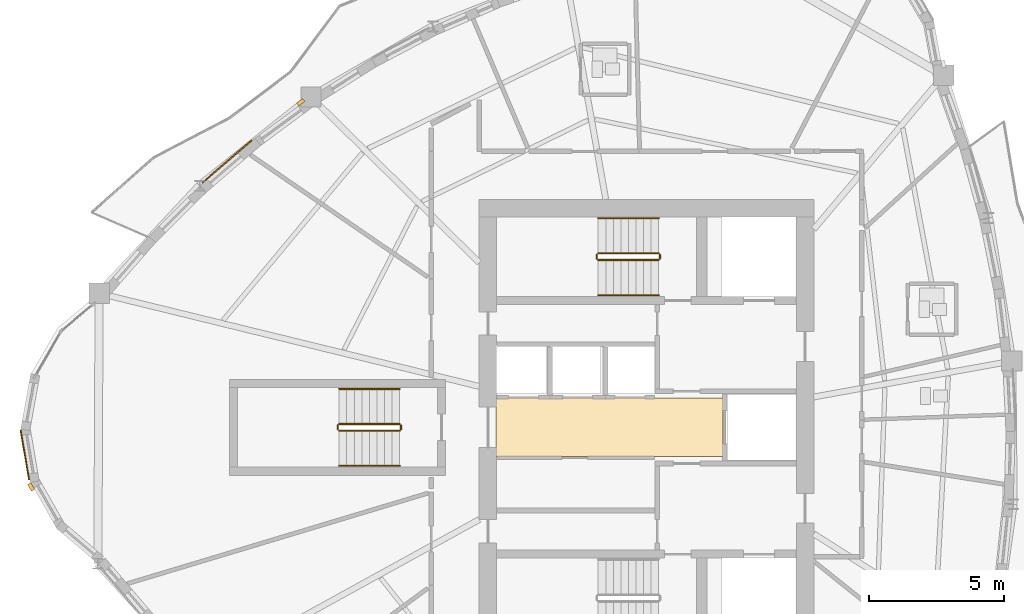
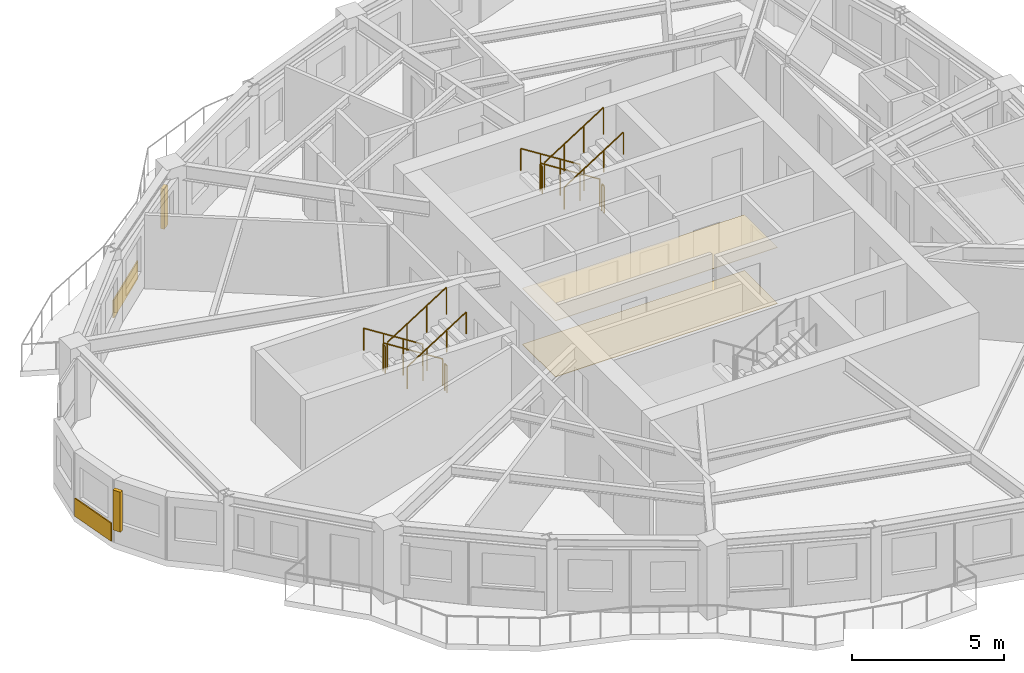
# One storey, part 11 of 13: 12 railings, 4 coverings, 2 shading devices.
"""IFC4 building model written with IfcOpenShell, lengths in metres."""

from ifc_helpers import new_model, si_unit, direction, frame, origin, origin_2d, place, context, subcontext, project, spatial, polyline, rectangle, circle, outline, extrude, source, transform, mapped, material, layer, layer_set, type_object, element, save


model = new_model("IFC4")

# Units and contexts
model_context = context("Model", 3, precision=1e-05, world=origin(), true_north=direction((0.0, 1.0)))
body_context = subcontext(model_context, "Body", "Model", "MODEL_VIEW")
ifc_project = project(units=[si_unit("LENGTHUNIT", "METRE"), si_unit("AREAUNIT", "SQUARE_METRE"), si_unit("VOLUMEUNIT", "CUBIC_METRE"), si_unit("PLANEANGLEUNIT", "RADIAN"), si_unit("MASSUNIT", "GRAM", prefix="KILO")], contexts=[model_context])

# Site, building, storey
site_placement = place(None, origin())
site = spatial("IfcSite", under=ifc_project, at=site_placement, CompositionType="ELEMENT")
building_placement = place(site_placement, origin())
building = spatial("IfcBuilding", under=site, at=building_placement, Name="Qafzar Sky-Pleat Residences", CompositionType="ELEMENT")
storey_placement = place(building_placement, frame((0.0, 0.0, 136.199951171875)))
storey = spatial("IfcBuildingStorey", under=building, at=storey_placement, Name="L40", CompositionType="ELEMENT", Elevation=136.199951171875)

# Coverings
ifc_material_1 = material(Name="Perforated acoustic gypsum board ceiling")
ifc_layer_1 = layer(ifc_material_1, 0.02001953125)
ifc_layer_set_1 = layer_set([ifc_layer_1], Name="Perforated acoustic gypsum board ceiling")
covering_type_1 = type_object("IfcCoveringType", Name="COV-CEIL-ACOUSTIC", PredefinedType="CEILING", material=ifc_layer_set_1)
covering_1_placement = place(storey_placement, frame((0.0, 0.0, 2.239990234375)))
element("IfcCovering", 1, at=covering_1_placement, inside=storey, type_object=covering_type_1, Name="L40 Passenger Lift Lobby Acoustic Ceiling", PredefinedType="CEILING", context=body_context, shape_type="SweptSolid", body=[
    extrude(outline(polyline([(33.179931640625, 24.919921875), (24.77001953125, 24.919921875), (24.77001953125, 27.080078125), (33.179931640625, 27.080078125), (33.179931640625, 24.919921875)])), origin(), (0.0, 0.0, 1.0), 0.02001953125),
])
ifc_material_2 = material(Name="Honed porcelain and Riyadh stone tile flooring", Category="masonry")
ifc_layer_2 = layer(ifc_material_2, 0.02001953125)
ifc_layer_set_2 = layer_set([ifc_layer_2], Name="Honed porcelain and Riyadh stone tile flooring")
covering_type_2 = type_object("IfcCoveringType", Name="COV-FLR-PORCELAIN", PredefinedType="FLOORING", material=ifc_layer_set_2)
covering_2_placement = place(storey_placement, origin())
element("IfcCovering", 2, at=covering_2_placement, inside=storey, type_object=covering_type_2, Name="L40 Passenger Lift Lobby Honed Stone Flooring", PredefinedType="FLOORING", context=body_context, shape_type="SweptSolid", body=[
    extrude(outline(polyline([(33.179931640625, 24.919921875), (24.77001953125, 24.919921875), (24.77001953125, 27.080078125), (33.179931640625, 27.080078125), (33.179931640625, 24.919921875)])), origin(), (0.0, 0.0, 1.0), 0.02001953125),
])

# Shading devices
ifc_material_3 = material(Name="Honed Riyadh limestone solar fin", Category="masonry")
ifc_layer_3 = layer(ifc_material_3, 0.139892578125)
ifc_layer_set_3 = layer_set([ifc_layer_3], Name="Honed Riyadh limestone solar fin")
shading_device_type = type_object("IfcShadingDeviceType", Name="SHD-FIN-STONE", PredefinedType="SHUTTER", material=ifc_layer_set_3)
shared_shape_1 = source(origin(), body_context, "Body", "SweptSolid", [
    extrude(rectangle(XDim=0.139892578125, YDim=0.280029296875, at=origin_2d()), origin(), (0.0, 0.0, 1.0), 1.60009765625),
])
for number, where, z_axis, x_axis, name in (
    (3, (7.54248046875, 23.7919921875, 0.60009765625), (0.0, 0.0, 1.0), (-0.86961473554, -0.493730910245, 0.0), "L40 Limestone Solar Fin 5"),
    (4, (17.534423828125, 38.0478515625, 0.60009765625), (0.0, 0.0, 1.0), (-0.594883347751, 0.803812044304, 0.0), "L40 Limestone Solar Fin 45"),
):
    element("IfcShadingDevice", number, at=place(storey_placement, frame(where, z_axis=z_axis, x_axis=x_axis)), inside=storey, type_object=shading_device_type, Name=name, PredefinedType="SHUTTER", context=body_context, shape_type="MappedRepresentation", body=[
        mapped(shared_shape_1, transform((0.0, 0.0, 0.0), x_axis=(1.0, 0.0, 0.0), y_axis=(0.0, 1.0, 0.0), z_axis=(0.0, 0.0, 1.0), scale=1.0)),
    ])

# Coverings
ifc_material_4 = material(Name="Honed Riyadh Tuwaiq limestone cladding", Category="masonry")
ifc_layer_4 = layer(ifc_material_4, 0.044921875)
ifc_layer_set_4 = layer_set([ifc_layer_4], Name="Honed Riyadh Tuwaiq limestone cladding")
covering_type_3 = type_object("IfcCoveringType", Name="COV-CLAD-STONE", PredefinedType="CLADDING", material=ifc_layer_set_4)
shared_shape_2 = source(origin(), body_context, "Body", "SweptSolid", [
    extrude(rectangle(XDim=1.873046875, YDim=0.044921875, at=origin_2d()), origin(), (0.0, 0.0, 1.0), 0.719970703125),
])
covering_3_placement = place(storey_placement, frame((7.31103515625, 24.98046875, 0.02001953125), z_axis=(0.0, 0.0, 1.0), x_axis=(0.168130198723, -0.985764797646, 0.0)))
element("IfcCovering", 5, at=covering_3_placement, inside=storey, type_object=covering_type_3, Name="L40 Riyadh Limestone Spandrel Cladding 4", PredefinedType="CLADDING", context=body_context, shape_type="MappedRepresentation", body=[
    mapped(shared_shape_2, transform((0.0, 0.0, 0.0), x_axis=(1.0, 0.0, 0.0), y_axis=(0.0, 1.0, 0.0), z_axis=(0.0, 0.0, 1.0), scale=1.0)),
])
shared_shape_3 = source(origin(), body_context, "Body", "SweptSolid", [
    extrude(rectangle(XDim=2.406982421875, YDim=0.044921875, at=origin_2d()), origin(), (0.0, 0.0, 1.0), 0.719970703125),
])
covering_4_placement = place(storey_placement, frame((14.8046875, 35.854248046875, 0.02001953125), z_axis=(0.0, 0.0, 1.0), x_axis=(-0.757496035004, -0.652839763612, 0.0)))
element("IfcCovering", 6, at=covering_4_placement, inside=storey, type_object=covering_type_3, Name="L40 Riyadh Limestone Spandrel Cladding 46", PredefinedType="CLADDING", context=body_context, shape_type="MappedRepresentation", body=[
    mapped(shared_shape_3, transform((0.0, 0.0, 0.0), x_axis=(1.0, 0.0, 0.0), y_axis=(0.0, 1.0, 0.0), z_axis=(0.0, 0.0, 1.0), scale=1.0)),
])

# Railings
ifc_material_5 = material(Name="Painted Steel S355 stair guardrail", Category="steel")
railing_type_1 = type_object("IfcRailingType", Name="RAIL-STAIR-GUARD", PredefinedType="GUARDRAIL", material=ifc_material_5)
shared_shape_4 = source(origin(), body_context, "Body", "SweptSolid", [
    extrude(circle(Radius=0.02392578125, at=origin_2d()), frame((0.0, 0.0, 1.076171875), z_axis=(0.0, -1.0, 0.0), x_axis=(1.0, 0.0, 0.0)), (0.0, 0.0, 1.0), 0.14990234375),
    extrude(circle(Radius=0.02099609375, at=origin_2d()), origin(), (0.0, 0.0, 1.0), 1.052001953125),
    extrude(circle(Radius=0.02099609375, at=origin_2d()), frame((0.0, -0.14990234375, 0.0)), (0.0, 0.0, 1.0), 1.052001953125),
])
for number, where, name in (
    (7, (28.510009765625, 32.39990234375, 1.60009765625), "L40 ST2 stair guard 2"),
    (8, (30.85009765625, 32.39990234375, 0.0), "L40 ST2 stair guard 4"),
    (9, (18.909912109375, 26.074951171875, 1.60009765625), "L40 ST3 stair guard 2"),
    (10, (21.25, 26.074951171875, 0.0), "L40 ST3 stair guard 4"),
):
    element("IfcRailing", number, at=place(storey_placement, frame(where)), inside=storey, type_object=railing_type_1, Name=name, PredefinedType="GUARDRAIL", context=body_context, shape_type="MappedRepresentation", body=[
        mapped(shared_shape_4, transform((0.0, 0.0, 0.0), x_axis=(1.0, 0.0, 0.0), y_axis=(0.0, 1.0, 0.0), z_axis=(0.0, 0.0, 1.0), scale=1.0)),
    ])
shared_shape_5 = source(origin(), body_context, "Body", "SweptSolid", [
    extrude(circle(Radius=0.02392578125, at=origin_2d()), frame((0.0, 0.0, 1.076171875), z_axis=(0.8442293374, 0.0, 0.53598211339), x_axis=(0.0, 1.0, 0.0)), (0.0, 0.0, 1.0), 2.6533203125),
    extrude(circle(Radius=0.02099609375, at=origin_2d()), origin(), (0.0, 0.0, 1.0), 1.052001953125),
    extrude(circle(Radius=0.02099609375, at=origin_2d()), frame((0.74658203125, 0.0, 0.47412109375)), (0.0, 0.0, 1.0), 1.052001953125),
    extrude(circle(Radius=0.02099609375, at=origin_2d()), frame((1.493408203125, 0.0, 0.947998046875)), (0.0, 0.0, 1.0), 1.052001953125),
    extrude(circle(Radius=0.02099609375, at=origin_2d()), frame((2.239990234375, 0.0, 1.422119140625)), (0.0, 0.0, 1.0), 1.052001953125),
])
for number, where, name in (
    (11, (28.56005859375, 32.199951171875, 1.77783203125), "L40 ST2 stair guard 3"),
    (12, (18.9599609375, 25.875, 1.77783203125), "L40 ST3 stair guard 3"),
):
    element("IfcRailing", number, at=place(storey_placement, frame(where)), inside=storey, type_object=railing_type_1, Name=name, PredefinedType="GUARDRAIL", context=body_context, shape_type="MappedRepresentation", body=[
        mapped(shared_shape_5, transform((0.0, 0.0, 0.0), x_axis=(1.0, 0.0, 0.0), y_axis=(0.0, 1.0, 0.0), z_axis=(0.0, 0.0, 1.0), scale=1.0)),
    ])
ifc_material_6 = material(Name="Brushed stainless steel handrail", Category="steel")
railing_type_2 = type_object("IfcRailingType", Name="RAIL-STAIR-HAND", PredefinedType="HANDRAIL", material=ifc_material_6)
shared_shape_6 = source(origin(), body_context, "Body", "SweptSolid", [
    extrude(circle(Radius=0.02392578125, at=origin_2d()), frame((0.0, 0.0, 0.8759765625), z_axis=(0.8442293374, 0.0, 0.53598211339), x_axis=(0.0, 1.0, 0.0)), (0.0, 0.0, 1.0), 2.6533203125),
    extrude(circle(Radius=0.02099609375, at=origin_2d()), origin(), (0.0, 0.0, 1.0), 0.851806640625),
    extrude(circle(Radius=0.02099609375, at=origin_2d()), frame((0.74658203125, 0.0, 0.47412109375)), (0.0, 0.0, 1.0), 0.851806640625),
    extrude(circle(Radius=0.02099609375, at=origin_2d()), frame((1.493408203125, 0.0, 0.947998046875)), (0.0, 0.0, 1.0), 0.851806640625),
    extrude(circle(Radius=0.02099609375, at=origin_2d()), frame((2.239990234375, 0.0, 1.422119140625)), (0.0, 0.0, 1.0), 0.851806640625),
])
for number, where, name in (
    (13, (28.56005859375, 30.89990234375, 1.77783203125), "L40 ST2 stair handrail 2"),
    (14, (18.9599609375, 24.574951171875, 1.77783203125), "L40 ST3 stair handrail 2"),
):
    element("IfcRailing", number, at=place(storey_placement, frame(where)), inside=storey, type_object=railing_type_2, Name=name, PredefinedType="HANDRAIL", context=body_context, shape_type="MappedRepresentation", body=[
        mapped(shared_shape_6, transform((0.0, 0.0, 0.0), x_axis=(1.0, 0.0, 0.0), y_axis=(0.0, 1.0, 0.0), z_axis=(0.0, 0.0, 1.0), scale=1.0)),
    ])
shared_shape_7 = source(origin(), body_context, "Body", "SweptSolid", [
    extrude(circle(Radius=0.02392578125, at=origin_2d()), frame((0.0, 0.0, 1.076171875), z_axis=(-0.84418770128, 0.0, 0.536047689118), x_axis=(0.0, -1.0, 0.0)), (0.0, 0.0, 1.0), 2.6533203125),
    extrude(circle(Radius=0.02099609375, at=origin_2d()), origin(), (0.0, 0.0, 1.0), 1.052001953125),
    extrude(circle(Radius=0.02099609375, at=origin_2d()), frame((-0.74658203125, 0.0, 0.47412109375)), (0.0, 0.0, 1.0), 1.052001953125),
    extrude(circle(Radius=0.02099609375, at=origin_2d()), frame((-1.493408203125, 0.0, 0.9482421875)), (0.0, 0.0, 1.0), 1.052001953125),
    extrude(circle(Radius=0.02099609375, at=origin_2d()), frame((-2.239990234375, 0.0, 1.42236328125)), (0.0, 0.0, 1.0), 1.052001953125),
])
for number, where, name in (
    (15, (30.800048828125, 32.449951171875, 0.177734375), "L40 ST2 stair guard 1"),
    (16, (21.199951171875, 26.125, 0.177734375), "L40 ST3 stair guard 1"),
):
    element("IfcRailing", number, at=place(storey_placement, frame(where)), inside=storey, type_object=railing_type_1, Name=name, PredefinedType="GUARDRAIL", context=body_context, shape_type="MappedRepresentation", body=[
        mapped(shared_shape_7, transform((0.0, 0.0, 0.0), x_axis=(1.0, 0.0, 0.0), y_axis=(0.0, 1.0, 0.0), z_axis=(0.0, 0.0, 1.0), scale=1.0)),
    ])
shared_shape_8 = source(origin(), body_context, "Body", "SweptSolid", [
    extrude(circle(Radius=0.02392578125, at=origin_2d()), frame((0.0, 0.0, 0.8759765625), z_axis=(-0.84418770128, 0.0, 0.536047689118), x_axis=(0.0, -1.0, 0.0)), (0.0, 0.0, 1.0), 2.6533203125),
    extrude(circle(Radius=0.02099609375, at=origin_2d()), origin(), (0.0, 0.0, 1.0), 0.851806640625),
    extrude(circle(Radius=0.02099609375, at=origin_2d()), frame((-0.74658203125, 0.0, 0.47412109375)), (0.0, 0.0, 1.0), 0.851806640625),
    extrude(circle(Radius=0.02099609375, at=origin_2d()), frame((-1.493408203125, 0.0, 0.9482421875)), (0.0, 0.0, 1.0), 0.851806640625),
    extrude(circle(Radius=0.02099609375, at=origin_2d()), frame((-2.239990234375, 0.0, 1.42236328125)), (0.0, 0.0, 1.0), 0.851806640625),
])
for number, where, name in (
    (17, (30.800048828125, 33.75, 0.177734375), "L40 ST2 stair handrail 1"),
    (18, (21.199951171875, 27.425048828125, 0.177734375), "L40 ST3 stair handrail 1"),
):
    element("IfcRailing", number, at=place(storey_placement, frame(where)), inside=storey, type_object=railing_type_2, Name=name, PredefinedType="HANDRAIL", context=body_context, shape_type="MappedRepresentation", body=[
        mapped(shared_shape_8, transform((0.0, 0.0, 0.0), x_axis=(1.0, 0.0, 0.0), y_axis=(0.0, 1.0, 0.0), z_axis=(0.0, 0.0, 1.0), scale=1.0)),
    ])

save(model, "model.ifc")
